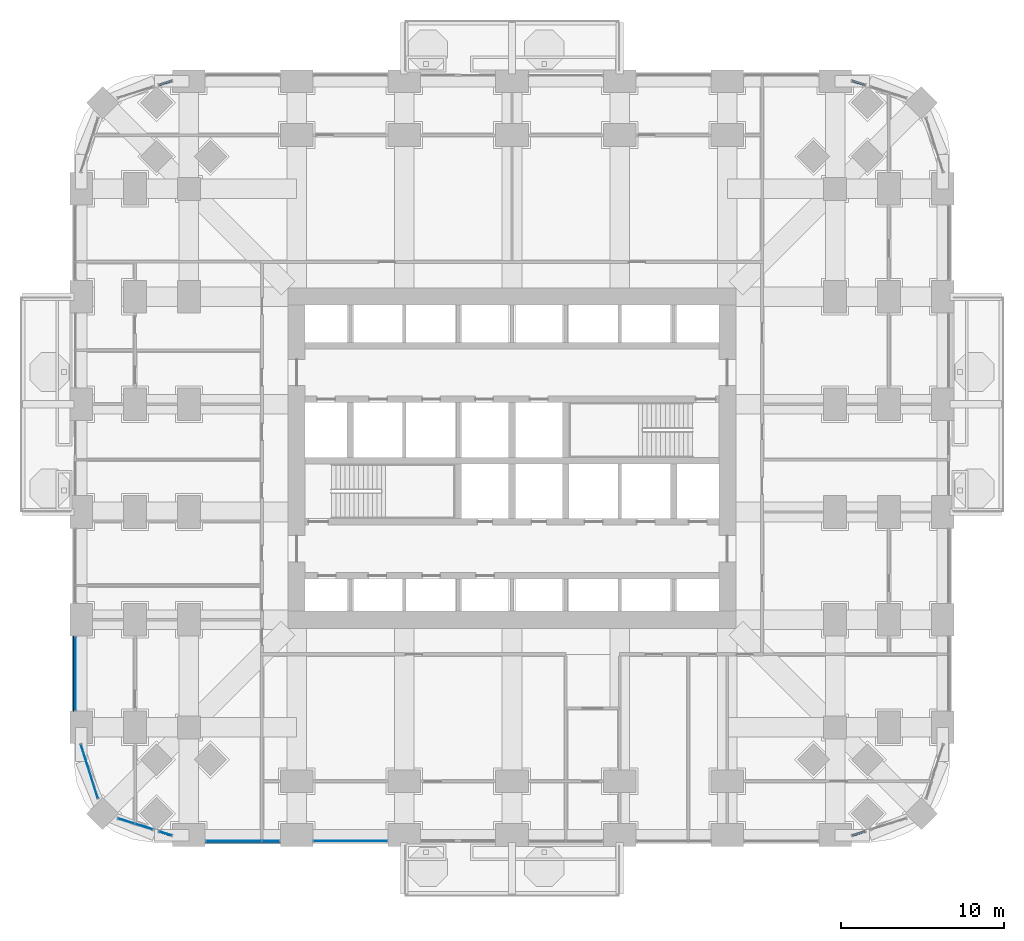
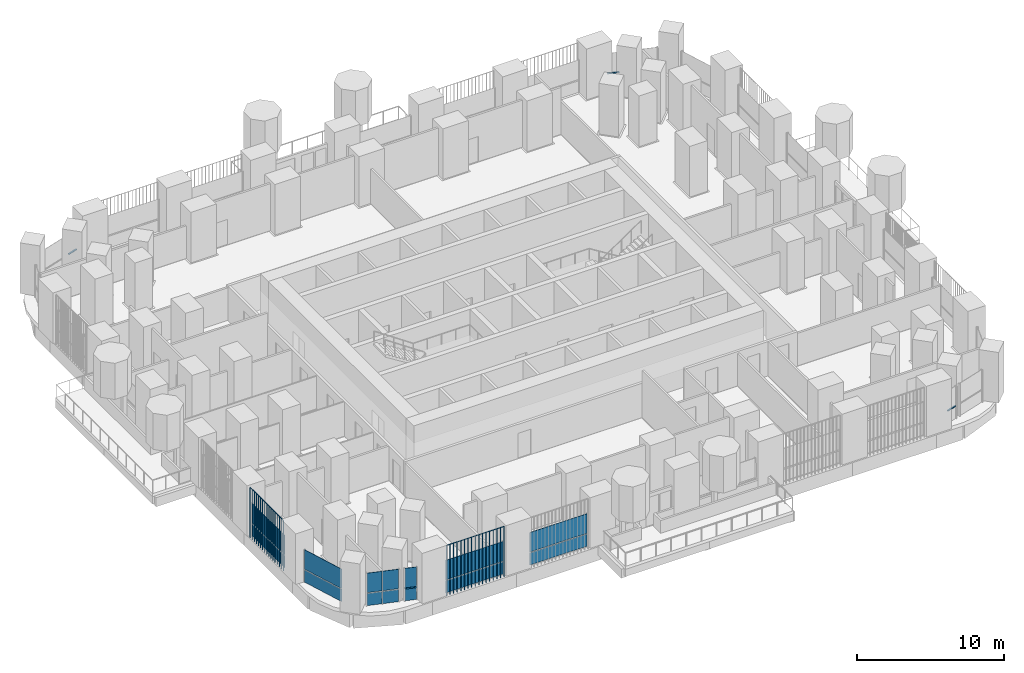
# One storey, part 10 of 24: 18 plates, 4 members, 9 elements without a shape of their own.
"""IFC4 building model written with IfcOpenShell, lengths in metres."""

from ifc_helpers import new_model, si_unit, direction, frame, origin, origin_2d, place, context, subcontext, project, spatial, polyline, rectangle, outline, extrude, material, layer, layer_set, material_profile, profile_set, type_object, element, aggregate, save


model = new_model("IFC4")

# Units and contexts
model_context = context("Model", 3, precision=1e-05, world=origin(), true_north=direction((0.0, 1.0)))
body_context = subcontext(model_context, "Body", "Model", "MODEL_VIEW")
ifc_project = project(units=[si_unit("LENGTHUNIT", "METRE"), si_unit("AREAUNIT", "SQUARE_METRE"), si_unit("VOLUMEUNIT", "CUBIC_METRE"), si_unit("PLANEANGLEUNIT", "RADIAN"), si_unit("MASSUNIT", "GRAM", prefix="KILO")], contexts=[model_context])

# Site, building, storey
site_placement = place(None, origin())
site = spatial("IfcSite", under=ifc_project, at=site_placement, CompositionType="ELEMENT")
building_placement = place(site_placement, origin())
building = spatial("IfcBuilding", under=site, at=building_placement, Name="Cobogo Forest Laboratory Tower", CompositionType="ELEMENT")
storey_placement = place(building_placement, frame((0.0, 0.0, 17.10009765625)))
storey = spatial("IfcBuildingStorey", under=building, at=storey_placement, Name="L03", CompositionType="ELEMENT", Elevation=17.10009765625)

# Curtain wall, member
ifc_material_1 = material(Name="Aluminium curtain wall", Category="aluminium")
curtain_wall_type = type_object("IfcCurtainWallType", Name="CW-1 unitised curtain wall, clear glazing, laboratory floors zones A and B", PredefinedType="USERDEFINED", material=ifc_material_1)
curtain_wall_1_placement = place(storey_placement, origin())
curtain_wall_1 = element("IfcCurtainWall", 1, at=curtain_wall_1_placement, inside=storey, type_object=curtain_wall_type, Name="Curtain wall 07 L03", ObjectType="UNITISED CURTAIN WALL", PredefinedType="USERDEFINED")
ifc_material_2 = material(Name="Aluminium transom", Category="aluminium")
ifc_material_profile = material_profile(ifc_material_2, rectangle(XDim=0.1201171875, YDim=0.06005859375, at=origin_2d()), Name="AL 60x120")
ifc_profile_set = profile_set([ifc_material_profile], Name="Aluminium transom")
member_type = type_object("IfcMemberType", Name="TR-1 aluminium transom 60x120", PredefinedType="USERDEFINED", material=ifc_profile_set)
member_1_placement = place(storey_placement, frame((47.25732421875, -0.01611328125, 1.0498046875), z_axis=(0.953541389606, 0.301262042596, 0.0), x_axis=(-0.301262042596, 0.953541389606, 0.0)))
member_1 = element("IfcMember", 2, at=member_1_placement, type_object=member_type, Name="CW-1 transom 1.1", ObjectType="TRANSOM", PredefinedType="USERDEFINED", context=body_context, shape_type="SweptSolid", body=[
    extrude(rectangle(XDim=0.1201171875, YDim=0.06005859375, at=origin_2d()), origin(), (0.0, 0.0, 1.0), 0.8046875),
])
aggregate(curtain_wall_1, [member_1])

curtain_wall_2_placement = place(storey_placement, origin())
curtain_wall_2 = element("IfcCurtainWall", 3, at=curtain_wall_2_placement, inside=storey, type_object=curtain_wall_type, Name="Curtain wall 17 L03", ObjectType="UNITISED CURTAIN WALL", PredefinedType="USERDEFINED")
member_2_placement = place(storey_placement, frame((48.024658203125, 45.973876953125, 1.0498046875), z_axis=(-0.953628510017, 0.300986153973, 0.0), x_axis=(-0.300986153973, -0.953628510017, 0.0)))
member_2 = element("IfcMember", 4, at=member_2_placement, type_object=member_type, Name="CW-1 transom 1.1", ObjectType="TRANSOM", PredefinedType="USERDEFINED", context=body_context, shape_type="SweptSolid", body=[
    extrude(rectangle(XDim=0.1201171875, YDim=0.06005859375, at=origin_2d()), origin(), (0.0, 0.0, 1.0), 0.8046875),
])
aggregate(curtain_wall_2, [member_2])

curtain_wall_3_placement = place(storey_placement, origin())
curtain_wall_3 = element("IfcCurtainWall", 5, at=curtain_wall_3_placement, inside=storey, type_object=curtain_wall_type, Name="Curtain wall 24 L03", ObjectType="UNITISED CURTAIN WALL", PredefinedType="USERDEFINED")
member_3_placement = place(storey_placement, frame((5.542724609375, 46.216064453125, 1.0498046875), z_axis=(-0.953628510017, -0.300986153973, 0.0), x_axis=(0.300986153973, -0.953628510017, 0.0)))
member_3 = element("IfcMember", 6, at=member_3_placement, type_object=member_type, Name="CW-1 transom 1.1", ObjectType="TRANSOM", PredefinedType="USERDEFINED", context=body_context, shape_type="SweptSolid", body=[
    extrude(rectangle(XDim=0.1201171875, YDim=0.06005859375, at=origin_2d()), origin(), (0.0, 0.0, 1.0), 0.8046875),
])
aggregate(curtain_wall_3, [member_3])

curtain_wall_4_placement = place(storey_placement, origin())
curtain_wall_4 = element("IfcCurtainWall", 7, at=curtain_wall_4_placement, inside=storey, type_object=curtain_wall_type, Name="Curtain wall 34 L03", ObjectType="UNITISED CURTAIN WALL", PredefinedType="USERDEFINED")
member_4_placement = place(storey_placement, frame((4.775390625, 0.226318359375, 1.0498046875), z_axis=(0.953541389606, -0.301262042596, 0.0), x_axis=(0.301262042596, 0.953541389606, 0.0)))
member_4 = element("IfcMember", 8, at=member_4_placement, type_object=member_type, Name="CW-1 transom 1.1", ObjectType="TRANSOM", PredefinedType="USERDEFINED", context=body_context, shape_type="SweptSolid", body=[
    extrude(rectangle(XDim=0.1201171875, YDim=0.06005859375, at=origin_2d()), origin(), (0.0, 0.0, 1.0), 0.8046875),
])

# Curtain wall, plates
curtain_wall_5_placement = place(storey_placement, origin())
curtain_wall_5 = element("IfcCurtainWall", 9, at=curtain_wall_5_placement, inside=storey, type_object=curtain_wall_type, Name="Curtain wall 01 L03", ObjectType="UNITISED CURTAIN WALL", PredefinedType="USERDEFINED")
ifc_material_3 = material(Name="Clear insulated glass", Category="glass")
ifc_layer = layer(ifc_material_3, 0.028076171875)
ifc_layer_set = layer_set([ifc_layer], Name="GP-1 clear insulated glass unit 28")
plate_type_1 = type_object("IfcPlateType", Name="GP-1 clear insulated glass unit 28", PredefinedType="CURTAIN_PANEL", material=ifc_layer_set)
plate_1_placement = place(storey_placement, frame((9.3525390625, -0.35009765625, 0.0), z_axis=(0.0, 0.0, 1.0), x_axis=(1.0, 0.0, 0.0)))
plate_1 = element("IfcPlate", 10, at=plate_1_placement, type_object=plate_type_1, Name="CW-1 panel 1.1", PredefinedType="CURTAIN_PANEL", context=body_context, shape_type="SweptSolid", body=[
    extrude(rectangle(XDim=3.385009765625, YDim=0.028076171875, at=origin_2d()), origin(), (0.0, 0.0, 1.0), 1.02001953125),
])
plate_2_placement = place(storey_placement, frame((9.3525390625, -0.35009765625, 1.079833984375), z_axis=(0.0, 0.0, 1.0), x_axis=(1.0, 0.0, 0.0)))
plate_2 = element("IfcPlate", 11, at=plate_2_placement, type_object=plate_type_1, Name="CW-1 panel 1.2", PredefinedType="CURTAIN_PANEL", context=body_context, shape_type="SweptSolid", body=[
    extrude(rectangle(XDim=3.385009765625, YDim=0.028076171875, at=origin_2d()), origin(), (0.0, 0.0, 1.0), 1.6201171875),
])
plate_3_placement = place(storey_placement, frame((11.62255859375, -0.35009765625, 0.0), z_axis=(0.0, 0.0, 1.0), x_axis=(1.0, 0.0, 0.0)))
plate_3 = element("IfcPlate", 12, at=plate_3_placement, type_object=plate_type_1, Name="CW-1 panel 2.1", PredefinedType="CURTAIN_PANEL", context=body_context, shape_type="SweptSolid", body=[
    extrude(rectangle(XDim=1.034912109375, YDim=0.028076171875, at=origin_2d()), origin(), (0.0, 0.0, 1.0), 1.02001953125),
])
plate_4_placement = place(storey_placement, frame((11.62255859375, -0.35009765625, 1.079833984375), z_axis=(0.0, 0.0, 1.0), x_axis=(1.0, 0.0, 0.0)))
plate_4 = element("IfcPlate", 13, at=plate_4_placement, type_object=plate_type_1, Name="CW-1 panel 2.2", PredefinedType="CURTAIN_PANEL", context=body_context, shape_type="SweptSolid", body=[
    extrude(rectangle(XDim=1.034912109375, YDim=0.028076171875, at=origin_2d()), origin(), (0.0, 0.0, 1.0), 1.6201171875),
])
aggregate(curtain_wall_5, [plate_1, plate_2, plate_3, plate_4])

curtain_wall_6_placement = place(storey_placement, origin())
curtain_wall_6 = element("IfcCurtainWall", 14, at=curtain_wall_6_placement, inside=storey, type_object=curtain_wall_type, Name="Curtain wall 02 L03", ObjectType="UNITISED CURTAIN WALL", PredefinedType="USERDEFINED")
plate_5_placement = place(storey_placement, frame((16.5, -0.35009765625, 0.0), z_axis=(0.0, 0.0, 1.0), x_axis=(1.0, 0.0, 0.0)))
plate_5 = element("IfcPlate", 15, at=plate_5_placement, type_object=plate_type_1, Name="CW-1 panel 1.1", PredefinedType="CURTAIN_PANEL", context=body_context, shape_type="SweptSolid", body=[
    extrude(rectangle(XDim=4.47998046875, YDim=0.028076171875, at=origin_2d()), origin(), (0.0, 0.0, 1.0), 1.02001953125),
])
plate_6_placement = place(storey_placement, frame((16.5, -0.35009765625, 1.079833984375), z_axis=(0.0, 0.0, 1.0), x_axis=(1.0, 0.0, 0.0)))
plate_6 = element("IfcPlate", 16, at=plate_6_placement, type_object=plate_type_1, Name="CW-1 panel 1.2", PredefinedType="CURTAIN_PANEL", context=body_context, shape_type="SweptSolid", body=[
    extrude(rectangle(XDim=4.47998046875, YDim=0.028076171875, at=origin_2d()), origin(), (0.0, 0.0, 1.0), 1.6201171875),
])
aggregate(curtain_wall_6, [plate_5, plate_6])

curtain_wall_7_placement = place(storey_placement, origin())
curtain_wall_7 = element("IfcCurtainWall", 17, at=curtain_wall_7_placement, inside=storey, type_object=curtain_wall_type, Name="Curtain wall 31 L03", ObjectType="UNITISED CURTAIN WALL", PredefinedType="USERDEFINED")
plate_7_placement = place(storey_placement, frame((-0.35009765625, 9.89990234375, 0.0), z_axis=(0.0, 0.0, 1.0), x_axis=(0.0, -1.0, 0.0)))
plate_7 = element("IfcPlate", 18, at=plate_7_placement, type_object=plate_type_1, Name="CW-1 panel 1.1", PredefinedType="CURTAIN_PANEL", context=body_context, shape_type="SweptSolid", body=[
    extrude(rectangle(XDim=4.47998046875, YDim=0.028076171875, at=origin_2d()), origin(), (0.0, 0.0, 1.0), 1.02001953125),
])
plate_8_placement = place(storey_placement, frame((-0.35009765625, 9.89990234375, 1.079833984375), z_axis=(0.0, 0.0, 1.0), x_axis=(0.0, -1.0, 0.0)))
plate_8 = element("IfcPlate", 19, at=plate_8_placement, type_object=plate_type_1, Name="CW-1 panel 1.2", PredefinedType="CURTAIN_PANEL", context=body_context, shape_type="SweptSolid", body=[
    extrude(rectangle(XDim=4.47998046875, YDim=0.028076171875, at=origin_2d()), origin(), (0.0, 0.0, 1.0), 1.6201171875),
])
aggregate(curtain_wall_7, [plate_7, plate_8])

curtain_wall_8_placement = place(storey_placement, origin())
curtain_wall_8 = element("IfcCurtainWall", 20, at=curtain_wall_8_placement, inside=storey, type_object=curtain_wall_type, Name="Curtain wall 32 L03", ObjectType="UNITISED CURTAIN WALL", PredefinedType="USERDEFINED")
plate_9_placement = place(storey_placement, frame((0.5009765625, 3.905029296875, 0.0), z_axis=(0.0, 0.0, 1.0), x_axis=(0.301135433696, -0.953581381201, 0.0)))
plate_9 = element("IfcPlate", 21, at=plate_9_placement, type_object=plate_type_1, Name="CW-1 panel 1.1", PredefinedType="CURTAIN_PANEL", context=body_context, shape_type="SweptSolid", body=[
    extrude(rectangle(XDim=3.434814453125, YDim=0.028076171875, at=origin_2d()), origin(), (0.0, 0.0, 1.0), 1.02001953125),
])
plate_10_placement = place(storey_placement, frame((0.5009765625, 3.905029296875, 1.079833984375), z_axis=(0.0, 0.0, 1.0), x_axis=(0.301135433696, -0.953581381201, 0.0)))
plate_10 = element("IfcPlate", 22, at=plate_10_placement, type_object=plate_type_1, Name="CW-1 panel 1.2", PredefinedType="CURTAIN_PANEL", context=body_context, shape_type="SweptSolid", body=[
    extrude(rectangle(XDim=3.434814453125, YDim=0.028076171875, at=origin_2d()), origin(), (0.0, 0.0, 1.0), 1.6201171875),
])
aggregate(curtain_wall_8, [plate_9, plate_10])

curtain_wall_9_placement = place(storey_placement, origin())
curtain_wall_9 = element("IfcCurtainWall", 23, at=curtain_wall_9_placement, inside=storey, type_object=curtain_wall_type, Name="Curtain wall 33 L03", ObjectType="UNITISED CURTAIN WALL", PredefinedType="USERDEFINED")
plate_11_placement = place(storey_placement, frame((2.75732421875, 0.863525390625, 0.0), z_axis=(0.0, 0.0, 1.0), x_axis=(0.953581409645, -0.301135343623, 0.0)))
plate_11 = element("IfcPlate", 24, at=plate_11_placement, type_object=plate_type_1, Name="CW-1 panel 1.1", PredefinedType="CURTAIN_PANEL", context=body_context, shape_type="SweptSolid", body=[
    extrude(rectangle(XDim=1.027587890625, YDim=0.028076171875, at=origin_2d()), origin(), (0.0, 0.0, 1.0), 1.02001953125),
])
plate_12_placement = place(storey_placement, frame((2.75732421875, 0.863525390625, 1.079833984375), z_axis=(0.0, 0.0, 1.0), x_axis=(0.953581409645, -0.301135343623, 0.0)))
plate_12 = element("IfcPlate", 25, at=plate_12_placement, type_object=plate_type_1, Name="CW-1 panel 1.2", PredefinedType="CURTAIN_PANEL", context=body_context, shape_type="SweptSolid", body=[
    extrude(rectangle(XDim=1.027587890625, YDim=0.028076171875, at=origin_2d()), origin(), (0.0, 0.0, 1.0), 1.6201171875),
])
plate_13_placement = place(storey_placement, frame((3.83642578125, 0.522705078125, 0.0), z_axis=(0.0, 0.0, 1.0), x_axis=(0.953581409645, -0.301135343623, 0.0)))
plate_13 = element("IfcPlate", 26, at=plate_13_placement, type_object=plate_type_1, Name="CW-1 panel 2.1", PredefinedType="CURTAIN_PANEL", context=body_context, shape_type="SweptSolid", body=[
    extrude(rectangle(XDim=1.11572265625, YDim=0.028076171875, at=origin_2d()), origin(), (0.0, 0.0, 1.0), 1.02001953125),
])
plate_14_placement = place(storey_placement, frame((3.83642578125, 0.522705078125, 1.079833984375), z_axis=(0.0, 0.0, 1.0), x_axis=(0.953581409645, -0.301135343623, 0.0)))
plate_14 = element("IfcPlate", 27, at=plate_14_placement, type_object=plate_type_1, Name="CW-1 panel 2.2", PredefinedType="CURTAIN_PANEL", context=body_context, shape_type="SweptSolid", body=[
    extrude(rectangle(XDim=1.11572265625, YDim=0.028076171875, at=origin_2d()), origin(), (0.0, 0.0, 1.0), 1.6201171875),
])
aggregate(curtain_wall_9, [plate_11, plate_12, plate_13, plate_14])

# Plate
plate_15_placement = place(storey_placement, frame((5.158935546875, 0.10498046875, 0.0), z_axis=(0.0, 0.0, 1.0), x_axis=(0.953581406818, -0.301135352577, 0.0)))
plate_15 = element("IfcPlate", 28, at=plate_15_placement, type_object=plate_type_1, Name="CW-1 panel 1.1", PredefinedType="CURTAIN_PANEL", context=body_context, shape_type="SweptSolid", body=[
    extrude(rectangle(XDim=0.804931640625, YDim=0.028076171875, at=origin_2d()), origin(), (0.0, 0.0, 1.0), 1.02001953125),
])

plate_16_placement = place(storey_placement, frame((5.158935546875, 0.10498046875, 1.079833984375), z_axis=(0.0, 0.0, 1.0), x_axis=(0.953581406818, -0.301135352577, 0.0)))
plate_16 = element("IfcPlate", 29, at=plate_16_placement, type_object=plate_type_1, Name="CW-1 panel 1.2", PredefinedType="CURTAIN_PANEL", context=body_context, shape_type="SweptSolid", body=[
    extrude(rectangle(XDim=0.804931640625, YDim=0.028076171875, at=origin_2d()), origin(), (0.0, 0.0, 1.0), 1.6201171875),
])

aggregate(curtain_wall_4, [member_4, plate_15, plate_16])

# Plates
ifc_material_4 = material(Name="Terracotta", Category="masonry")
plate_type_2 = type_object("IfcPlateType", Name="TB1 terracotta baguette screen", PredefinedType="USERDEFINED", material=ifc_material_4)
plate_17_placement = place(storey_placement, frame((7.63134765625, -0.477783203125, -0.150146484375)))
element("IfcPlate", 30, at=plate_17_placement, inside=storey, type_object=plate_type_2, Name="Baguette screen S1 L03", ObjectType="BAGUETTE SCREEN", PredefinedType="USERDEFINED", context=body_context, shape_type="SweptSolid", body=[
    extrude(outline(polyline([(0.02880859375, 0.011962890625), (0.011962890625, 0.02880859375), (-0.011962890625, 0.02880859375), (-0.02880859375, 0.011962890625), (-0.02880859375, -0.011962890625), (-0.011962890625, -0.02880859375), (0.011962890625, -0.02880859375), (0.02880859375, -0.011962890625), (0.02880859375, 0.011962890625)])), frame((0.0, 0.0, 4.168701171875), z_axis=(1.0, 0.0, 0.0), x_axis=(0.0, 1.0, 0.0)), (0.0, 0.0, 1.0), 4.537353515625),
    extrude(outline(polyline([(0.02880859375, 0.011962890625), (0.011962890625, 0.02880859375), (-0.011962890625, 0.02880859375), (-0.02880859375, 0.011962890625), (-0.02880859375, -0.011962890625), (-0.011962890625, -0.02880859375), (0.011962890625, -0.02880859375), (0.02880859375, -0.011962890625), (0.02880859375, 0.011962890625)])), origin(), (0.0, 0.0, 1.0), 4.137451171875),
    extrude(outline(polyline([(0.02880859375, 0.011962890625), (0.011962890625, 0.02880859375), (-0.011962890625, 0.02880859375), (-0.02880859375, 0.011962890625), (-0.02880859375, -0.011962890625), (-0.011962890625, -0.02880859375), (0.011962890625, -0.02880859375), (0.02880859375, -0.011962890625), (0.02880859375, 0.011962890625)])), frame((0.28369140625, 0.0, 0.0)), (0.0, 0.0, 1.0), 4.137451171875),
    extrude(outline(polyline([(0.02880859375, 0.011962890625), (0.011962890625, 0.02880859375), (-0.011962890625, 0.02880859375), (-0.02880859375, 0.011962890625), (-0.02880859375, -0.011962890625), (-0.011962890625, -0.02880859375), (0.011962890625, -0.02880859375), (0.02880859375, -0.011962890625), (0.02880859375, 0.011962890625)])), frame((0.567138671875, 0.0, 0.0)), (0.0, 0.0, 1.0), 4.137451171875),
    extrude(outline(polyline([(0.02880859375, 0.011962890625), (0.011962890625, 0.02880859375), (-0.011962890625, 0.02880859375), (-0.02880859375, 0.011962890625), (-0.02880859375, -0.011962890625), (-0.011962890625, -0.02880859375), (0.011962890625, -0.02880859375), (0.02880859375, -0.011962890625), (0.02880859375, 0.011962890625)])), frame((0.850830078125, 0.0, 0.0)), (0.0, 0.0, 1.0), 4.137451171875),
    extrude(outline(polyline([(0.02880859375, 0.011962890625), (0.011962890625, 0.02880859375), (-0.011962890625, 0.02880859375), (-0.02880859375, 0.011962890625), (-0.02880859375, -0.011962890625), (-0.011962890625, -0.02880859375), (0.011962890625, -0.02880859375), (0.02880859375, -0.011962890625), (0.02880859375, 0.011962890625)])), frame((1.13427734375, 0.0, 0.0)), (0.0, 0.0, 1.0), 4.137451171875),
    extrude(outline(polyline([(0.02880859375, 0.011962890625), (0.011962890625, 0.02880859375), (-0.011962890625, 0.02880859375), (-0.02880859375, 0.011962890625), (-0.02880859375, -0.011962890625), (-0.011962890625, -0.02880859375), (0.011962890625, -0.02880859375), (0.02880859375, -0.011962890625), (0.02880859375, 0.011962890625)])), frame((1.41796875, 0.0, 0.0)), (0.0, 0.0, 1.0), 4.137451171875),
    extrude(outline(polyline([(0.02880859375, 0.011962890625), (0.011962890625, 0.02880859375), (-0.011962890625, 0.02880859375), (-0.02880859375, 0.011962890625), (-0.02880859375, -0.011962890625), (-0.011962890625, -0.02880859375), (0.011962890625, -0.02880859375), (0.02880859375, -0.011962890625), (0.02880859375, 0.011962890625)])), frame((1.701416015625, 0.0, 0.0)), (0.0, 0.0, 1.0), 4.137451171875),
    extrude(outline(polyline([(0.02880859375, 0.011962890625), (0.011962890625, 0.02880859375), (-0.011962890625, 0.02880859375), (-0.02880859375, 0.011962890625), (-0.02880859375, -0.011962890625), (-0.011962890625, -0.02880859375), (0.011962890625, -0.02880859375), (0.02880859375, -0.011962890625), (0.02880859375, 0.011962890625)])), frame((1.985107421875, 0.0, 0.0)), (0.0, 0.0, 1.0), 4.137451171875),
    extrude(outline(polyline([(0.02880859375, 0.011962890625), (0.011962890625, 0.02880859375), (-0.011962890625, 0.02880859375), (-0.02880859375, 0.011962890625), (-0.02880859375, -0.011962890625), (-0.011962890625, -0.02880859375), (0.011962890625, -0.02880859375), (0.02880859375, -0.011962890625), (0.02880859375, 0.011962890625)])), frame((2.2685546875, 0.0, 0.0)), (0.0, 0.0, 1.0), 4.137451171875),
    extrude(outline(polyline([(0.02880859375, 0.011962890625), (0.011962890625, 0.02880859375), (-0.011962890625, 0.02880859375), (-0.02880859375, 0.011962890625), (-0.02880859375, -0.011962890625), (-0.011962890625, -0.02880859375), (0.011962890625, -0.02880859375), (0.02880859375, -0.011962890625), (0.02880859375, 0.011962890625)])), frame((2.55224609375, 0.0, 0.0)), (0.0, 0.0, 1.0), 4.137451171875),
    extrude(outline(polyline([(0.02880859375, 0.011962890625), (0.011962890625, 0.02880859375), (-0.011962890625, 0.02880859375), (-0.02880859375, 0.011962890625), (-0.02880859375, -0.011962890625), (-0.011962890625, -0.02880859375), (0.011962890625, -0.02880859375), (0.02880859375, -0.011962890625), (0.02880859375, 0.011962890625)])), frame((2.8359375, 0.0, 0.0)), (0.0, 0.0, 1.0), 4.137451171875),
    extrude(outline(polyline([(0.02880859375, 0.011962890625), (0.011962890625, 0.02880859375), (-0.011962890625, 0.02880859375), (-0.02880859375, 0.011962890625), (-0.02880859375, -0.011962890625), (-0.011962890625, -0.02880859375), (0.011962890625, -0.02880859375), (0.02880859375, -0.011962890625), (0.02880859375, 0.011962890625)])), frame((3.119384765625, 0.0, 0.0)), (0.0, 0.0, 1.0), 4.137451171875),
    extrude(outline(polyline([(0.02880859375, 0.011962890625), (0.011962890625, 0.02880859375), (-0.011962890625, 0.02880859375), (-0.02880859375, 0.011962890625), (-0.02880859375, -0.011962890625), (-0.011962890625, -0.02880859375), (0.011962890625, -0.02880859375), (0.02880859375, -0.011962890625), (0.02880859375, 0.011962890625)])), frame((3.403076171875, 0.0, 0.0)), (0.0, 0.0, 1.0), 4.137451171875),
    extrude(outline(polyline([(0.02880859375, 0.011962890625), (0.011962890625, 0.02880859375), (-0.011962890625, 0.02880859375), (-0.02880859375, 0.011962890625), (-0.02880859375, -0.011962890625), (-0.011962890625, -0.02880859375), (0.011962890625, -0.02880859375), (0.02880859375, -0.011962890625), (0.02880859375, 0.011962890625)])), frame((3.6865234375, 0.0, 0.0)), (0.0, 0.0, 1.0), 4.137451171875),
    extrude(outline(polyline([(0.02880859375, 0.011962890625), (0.011962890625, 0.02880859375), (-0.011962890625, 0.02880859375), (-0.02880859375, 0.011962890625), (-0.02880859375, -0.011962890625), (-0.011962890625, -0.02880859375), (0.011962890625, -0.02880859375), (0.02880859375, -0.011962890625), (0.02880859375, 0.011962890625)])), frame((3.97021484375, 0.0, 0.0)), (0.0, 0.0, 1.0), 4.137451171875),
    extrude(outline(polyline([(0.02880859375, 0.011962890625), (0.011962890625, 0.02880859375), (-0.011962890625, 0.02880859375), (-0.02880859375, 0.011962890625), (-0.02880859375, -0.011962890625), (-0.011962890625, -0.02880859375), (0.011962890625, -0.02880859375), (0.02880859375, -0.011962890625), (0.02880859375, 0.011962890625)])), frame((4.253662109375, 0.0, 0.0)), (0.0, 0.0, 1.0), 4.137451171875),
    extrude(outline(polyline([(0.02880859375, 0.011962890625), (0.011962890625, 0.02880859375), (-0.011962890625, 0.02880859375), (-0.02880859375, 0.011962890625), (-0.02880859375, -0.011962890625), (-0.011962890625, -0.02880859375), (0.011962890625, -0.02880859375), (0.02880859375, -0.011962890625), (0.02880859375, 0.011962890625)])), frame((4.537353515625, 0.0, 0.0)), (0.0, 0.0, 1.0), 4.137451171875),
])
plate_18_placement = place(storey_placement, frame((-0.477783203125, 7.63134765625, -0.150146484375)))
element("IfcPlate", 31, at=plate_18_placement, inside=storey, type_object=plate_type_2, Name="Baguette screen W1 L03", ObjectType="BAGUETTE SCREEN", PredefinedType="USERDEFINED", context=body_context, shape_type="SweptSolid", body=[
    extrude(outline(polyline([(0.02880859375, 0.011962890625), (0.011962890625, 0.02880859375), (-0.011962890625, 0.02880859375), (-0.02880859375, 0.011962890625), (-0.02880859375, -0.011962890625), (-0.011962890625, -0.02880859375), (0.011962890625, -0.02880859375), (0.02880859375, -0.011962890625), (0.02880859375, 0.011962890625)])), frame((0.0, 0.0, 4.168701171875), z_axis=(0.0, 1.0, 0.0), x_axis=(-1.0, 0.0, 0.0)), (0.0, 0.0, 1.0), 4.537353515625),
    extrude(outline(polyline([(0.02880859375, 0.011962890625), (0.011962890625, 0.02880859375), (-0.011962890625, 0.02880859375), (-0.02880859375, 0.011962890625), (-0.02880859375, -0.011962890625), (-0.011962890625, -0.02880859375), (0.011962890625, -0.02880859375), (0.02880859375, -0.011962890625), (0.02880859375, 0.011962890625)])), origin(), (0.0, 0.0, 1.0), 4.137451171875),
    extrude(outline(polyline([(0.02880859375, 0.011962890625), (0.011962890625, 0.02880859375), (-0.011962890625, 0.02880859375), (-0.02880859375, 0.011962890625), (-0.02880859375, -0.011962890625), (-0.011962890625, -0.02880859375), (0.011962890625, -0.02880859375), (0.02880859375, -0.011962890625), (0.02880859375, 0.011962890625)])), frame((0.0, 0.28369140625, 0.0)), (0.0, 0.0, 1.0), 4.137451171875),
    extrude(outline(polyline([(0.02880859375, 0.011962890625), (0.011962890625, 0.02880859375), (-0.011962890625, 0.02880859375), (-0.02880859375, 0.011962890625), (-0.02880859375, -0.011962890625), (-0.011962890625, -0.02880859375), (0.011962890625, -0.02880859375), (0.02880859375, -0.011962890625), (0.02880859375, 0.011962890625)])), frame((0.0, 0.567138671875, 0.0)), (0.0, 0.0, 1.0), 4.137451171875),
    extrude(outline(polyline([(0.02880859375, 0.011962890625), (0.011962890625, 0.02880859375), (-0.011962890625, 0.02880859375), (-0.02880859375, 0.011962890625), (-0.02880859375, -0.011962890625), (-0.011962890625, -0.02880859375), (0.011962890625, -0.02880859375), (0.02880859375, -0.011962890625), (0.02880859375, 0.011962890625)])), frame((0.0, 0.850830078125, 0.0)), (0.0, 0.0, 1.0), 4.137451171875),
    extrude(outline(polyline([(0.02880859375, 0.011962890625), (0.011962890625, 0.02880859375), (-0.011962890625, 0.02880859375), (-0.02880859375, 0.011962890625), (-0.02880859375, -0.011962890625), (-0.011962890625, -0.02880859375), (0.011962890625, -0.02880859375), (0.02880859375, -0.011962890625), (0.02880859375, 0.011962890625)])), frame((0.0, 1.13427734375, 0.0)), (0.0, 0.0, 1.0), 4.137451171875),
    extrude(outline(polyline([(0.02880859375, 0.011962890625), (0.011962890625, 0.02880859375), (-0.011962890625, 0.02880859375), (-0.02880859375, 0.011962890625), (-0.02880859375, -0.011962890625), (-0.011962890625, -0.02880859375), (0.011962890625, -0.02880859375), (0.02880859375, -0.011962890625), (0.02880859375, 0.011962890625)])), frame((0.0, 1.41796875, 0.0)), (0.0, 0.0, 1.0), 4.137451171875),
    extrude(outline(polyline([(0.02880859375, 0.011962890625), (0.011962890625, 0.02880859375), (-0.011962890625, 0.02880859375), (-0.02880859375, 0.011962890625), (-0.02880859375, -0.011962890625), (-0.011962890625, -0.02880859375), (0.011962890625, -0.02880859375), (0.02880859375, -0.011962890625), (0.02880859375, 0.011962890625)])), frame((0.0, 1.701416015625, 0.0)), (0.0, 0.0, 1.0), 4.137451171875),
    extrude(outline(polyline([(0.02880859375, 0.011962890625), (0.011962890625, 0.02880859375), (-0.011962890625, 0.02880859375), (-0.02880859375, 0.011962890625), (-0.02880859375, -0.011962890625), (-0.011962890625, -0.02880859375), (0.011962890625, -0.02880859375), (0.02880859375, -0.011962890625), (0.02880859375, 0.011962890625)])), frame((0.0, 1.985107421875, 0.0)), (0.0, 0.0, 1.0), 4.137451171875),
    extrude(outline(polyline([(0.02880859375, 0.011962890625), (0.011962890625, 0.02880859375), (-0.011962890625, 0.02880859375), (-0.02880859375, 0.011962890625), (-0.02880859375, -0.011962890625), (-0.011962890625, -0.02880859375), (0.011962890625, -0.02880859375), (0.02880859375, -0.011962890625), (0.02880859375, 0.011962890625)])), frame((0.0, 2.2685546875, 0.0)), (0.0, 0.0, 1.0), 4.137451171875),
    extrude(outline(polyline([(0.02880859375, 0.011962890625), (0.011962890625, 0.02880859375), (-0.011962890625, 0.02880859375), (-0.02880859375, 0.011962890625), (-0.02880859375, -0.011962890625), (-0.011962890625, -0.02880859375), (0.011962890625, -0.02880859375), (0.02880859375, -0.011962890625), (0.02880859375, 0.011962890625)])), frame((0.0, 2.55224609375, 0.0)), (0.0, 0.0, 1.0), 4.137451171875),
    extrude(outline(polyline([(0.02880859375, 0.011962890625), (0.011962890625, 0.02880859375), (-0.011962890625, 0.02880859375), (-0.02880859375, 0.011962890625), (-0.02880859375, -0.011962890625), (-0.011962890625, -0.02880859375), (0.011962890625, -0.02880859375), (0.02880859375, -0.011962890625), (0.02880859375, 0.011962890625)])), frame((0.0, 2.8359375, 0.0)), (0.0, 0.0, 1.0), 4.137451171875),
    extrude(outline(polyline([(0.02880859375, 0.011962890625), (0.011962890625, 0.02880859375), (-0.011962890625, 0.02880859375), (-0.02880859375, 0.011962890625), (-0.02880859375, -0.011962890625), (-0.011962890625, -0.02880859375), (0.011962890625, -0.02880859375), (0.02880859375, -0.011962890625), (0.02880859375, 0.011962890625)])), frame((0.0, 3.119384765625, 0.0)), (0.0, 0.0, 1.0), 4.137451171875),
    extrude(outline(polyline([(0.02880859375, 0.011962890625), (0.011962890625, 0.02880859375), (-0.011962890625, 0.02880859375), (-0.02880859375, 0.011962890625), (-0.02880859375, -0.011962890625), (-0.011962890625, -0.02880859375), (0.011962890625, -0.02880859375), (0.02880859375, -0.011962890625), (0.02880859375, 0.011962890625)])), frame((0.0, 3.403076171875, 0.0)), (0.0, 0.0, 1.0), 4.137451171875),
    extrude(outline(polyline([(0.02880859375, 0.011962890625), (0.011962890625, 0.02880859375), (-0.011962890625, 0.02880859375), (-0.02880859375, 0.011962890625), (-0.02880859375, -0.011962890625), (-0.011962890625, -0.02880859375), (0.011962890625, -0.02880859375), (0.02880859375, -0.011962890625), (0.02880859375, 0.011962890625)])), frame((0.0, 3.6865234375, 0.0)), (0.0, 0.0, 1.0), 4.137451171875),
    extrude(outline(polyline([(0.02880859375, 0.011962890625), (0.011962890625, 0.02880859375), (-0.011962890625, 0.02880859375), (-0.02880859375, 0.011962890625), (-0.02880859375, -0.011962890625), (-0.011962890625, -0.02880859375), (0.011962890625, -0.02880859375), (0.02880859375, -0.011962890625), (0.02880859375, 0.011962890625)])), frame((0.0, 3.97021484375, 0.0)), (0.0, 0.0, 1.0), 4.137451171875),
    extrude(outline(polyline([(0.02880859375, 0.011962890625), (0.011962890625, 0.02880859375), (-0.011962890625, 0.02880859375), (-0.02880859375, 0.011962890625), (-0.02880859375, -0.011962890625), (-0.011962890625, -0.02880859375), (0.011962890625, -0.02880859375), (0.02880859375, -0.011962890625), (0.02880859375, 0.011962890625)])), frame((0.0, 4.253662109375, 0.0)), (0.0, 0.0, 1.0), 4.137451171875),
    extrude(outline(polyline([(0.02880859375, 0.011962890625), (0.011962890625, 0.02880859375), (-0.011962890625, 0.02880859375), (-0.02880859375, 0.011962890625), (-0.02880859375, -0.011962890625), (-0.011962890625, -0.02880859375), (0.011962890625, -0.02880859375), (0.02880859375, -0.011962890625), (0.02880859375, 0.011962890625)])), frame((0.0, 4.537353515625, 0.0)), (0.0, 0.0, 1.0), 4.137451171875),
])

save(model, "model.ifc")
